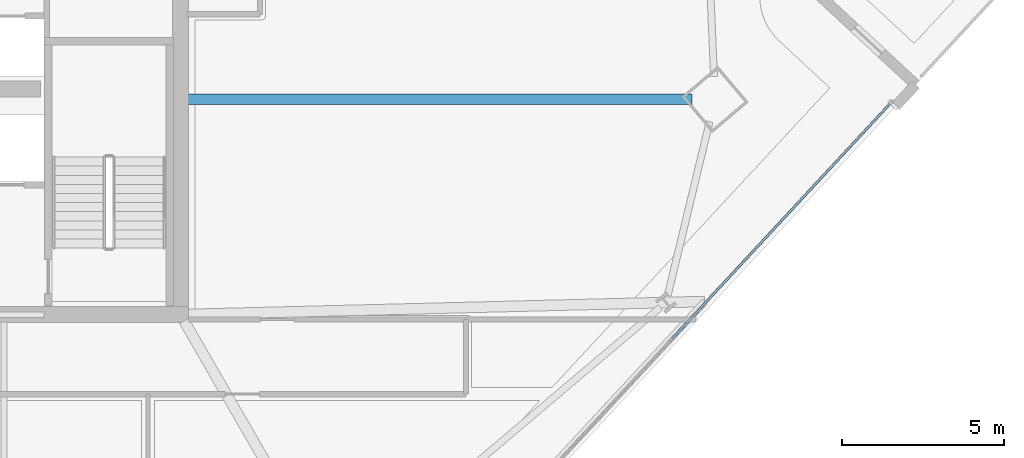
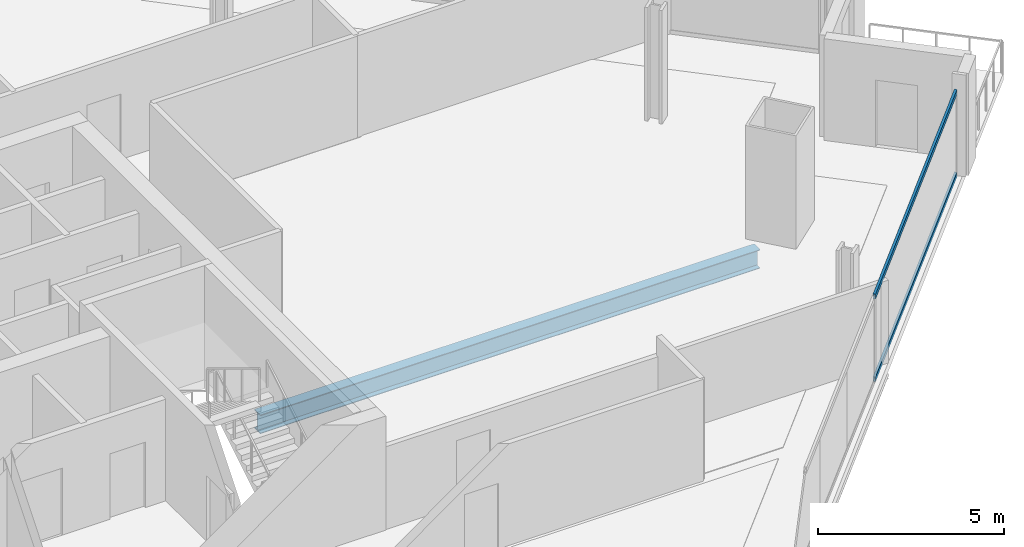
# One storey, part 11 of 32: 2 members, 1 beam, 1 element without a shape of its own.
"""IFC4 building model written with IfcOpenShell, lengths in metres."""

from ifc_helpers import new_model, si_unit, direction, frame, origin, origin_2d, place, context, subcontext, project, spatial, hollow_rectangle, i_section, extrude, material, material_profile, profile_set, type_object, element, aggregate, save


model = new_model("IFC4")

# Units and contexts
model_context = context("Model", 3, precision=1e-05, world=origin(), true_north=direction((0.0, 1.0)))
body_context = subcontext(model_context, "Body", "Model", "MODEL_VIEW")
ifc_project = project(units=[si_unit("LENGTHUNIT", "METRE"), si_unit("AREAUNIT", "SQUARE_METRE"), si_unit("VOLUMEUNIT", "CUBIC_METRE"), si_unit("PLANEANGLEUNIT", "RADIAN"), si_unit("MASSUNIT", "GRAM", prefix="KILO")], contexts=[model_context])

# Site, building, storey
site_placement = place(None, origin())
site = spatial("IfcSite", under=ifc_project, at=site_placement, CompositionType="ELEMENT")
building_placement = place(site_placement, origin())
building = spatial("IfcBuilding", under=site, at=building_placement, Name="Haldenkirk Collegiate Tower", CompositionType="ELEMENT")
storey_placement = place(building_placement, frame((0.0, 0.0, 185.699951171875)))
storey = spatial("IfcBuildingStorey", under=building, at=storey_placement, Name="L46", CompositionType="ELEMENT", Elevation=185.699951171875)

# Beam
ifc_material_1 = material(Name="Steel ASTM A992 Grade 50", Category="steel")
ifc_material_profile_1 = material_profile(ifc_material_1, i_section(OverallWidth=0.324951171875, OverallDepth=0.615966796875, WebThickness=0.013916015625, FlangeThickness=0.021484375, at=origin_2d()), Name="W24X117")
ifc_profile_set_1 = profile_set([ifc_material_profile_1], Name="Steel ASTM A992 Grade 50")
beam_type = type_object("IfcBeamType", Name="BM-GIRDER-W24X117", PredefinedType="BEAM", material=ifc_profile_set_1)
beam_placement = place(storey_placement, frame((60.760009765625, 24.62890625, -0.597900390625), z_axis=(-1.0, 0.0, 0.0), x_axis=(0.0, -1.0, 0.0)))
element("IfcBeam", 1, at=beam_placement, inside=storey, type_object=beam_type, Name="L46 primary floor girder 02", PredefinedType="BEAM", context=body_context, shape_type="SweptSolid", body=[
    extrude(i_section(OverallWidth=0.324951171875, OverallDepth=0.615966796875, WebThickness=0.013916015625, FlangeThickness=0.021484375, at=origin_2d()), origin(), (0.0, 0.0, 1.0), 15.530029296875),
])

# Curtain wall, members
ifc_material_2 = material(Name="Anodised architectural bronze aluminium", Category="aluminium")
curtain_wall_type = type_object("IfcCurtainWallType", Name="CW-SYS2-CONCAVE", PredefinedType="USERDEFINED", material=ifc_material_2)
curtain_wall_placement = place(storey_placement, origin())
curtain_wall = element("IfcCurtainWall", 2, at=curtain_wall_placement, inside=storey, type_object=curtain_wall_type, Name="L46 South concave recessed bronze-anodised curtain wall", ObjectType="UNITISED CURTAIN WALL", PredefinedType="USERDEFINED")
ifc_material_profile_2 = material_profile(ifc_material_2, hollow_rectangle(XDim=0.074951171875, YDim=0.159912109375, WallThickness=0.0048828125, at=origin_2d()), Name="CW-TRN-02")
ifc_profile_set_2 = profile_set([ifc_material_profile_2], Name="Anodised architectural bronze aluminium")
member_type = type_object("IfcMemberType", Name="CW-TRN-02", PredefinedType="USERDEFINED", material=ifc_profile_set_2)
member_1_placement = place(storey_placement, frame((66.8515625, 24.49072265625, 0.03759765625), z_axis=(-0.680072167428, -0.733145174634, 0.0), x_axis=(0.733145174634, -0.680072167428, 0.0)))
member_1 = element("IfcMember", 3, at=member_1_placement, type_object=member_type, Name="CW-02 transom 1.1", ObjectType="TRANSOM", PredefinedType="USERDEFINED", context=body_context, shape_type="SweptSolid", body=[
    extrude(hollow_rectangle(XDim=0.074951171875, YDim=0.159912109375, WallThickness=0.0048828125, at=origin_2d()), origin(), (0.0, 0.0, 1.0), 9.862548828125),
])
member_2_placement = place(storey_placement, frame((66.8515625, 24.49072265625, 2.753662109375), z_axis=(-0.680072167428, -0.733145174634, 0.0), x_axis=(0.733145174634, -0.680072167428, 0.0)))
member_2 = element("IfcMember", 4, at=member_2_placement, type_object=member_type, Name="CW-02 transom 1.2", ObjectType="TRANSOM", PredefinedType="USERDEFINED", context=body_context, shape_type="SweptSolid", body=[
    extrude(hollow_rectangle(XDim=0.074951171875, YDim=0.159912109375, WallThickness=0.0048828125, at=origin_2d()), origin(), (0.0, 0.0, 1.0), 9.862548828125),
])
aggregate(curtain_wall, [member_1, member_2])

save(model, "model.ifc")
